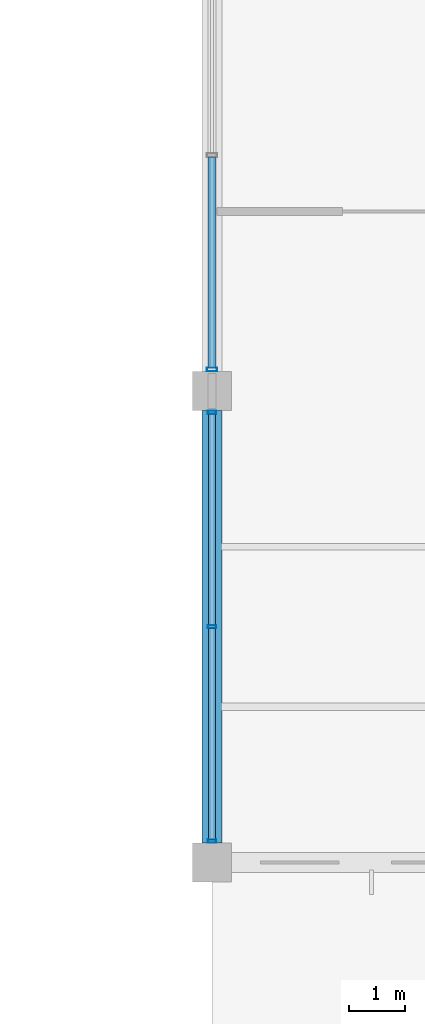
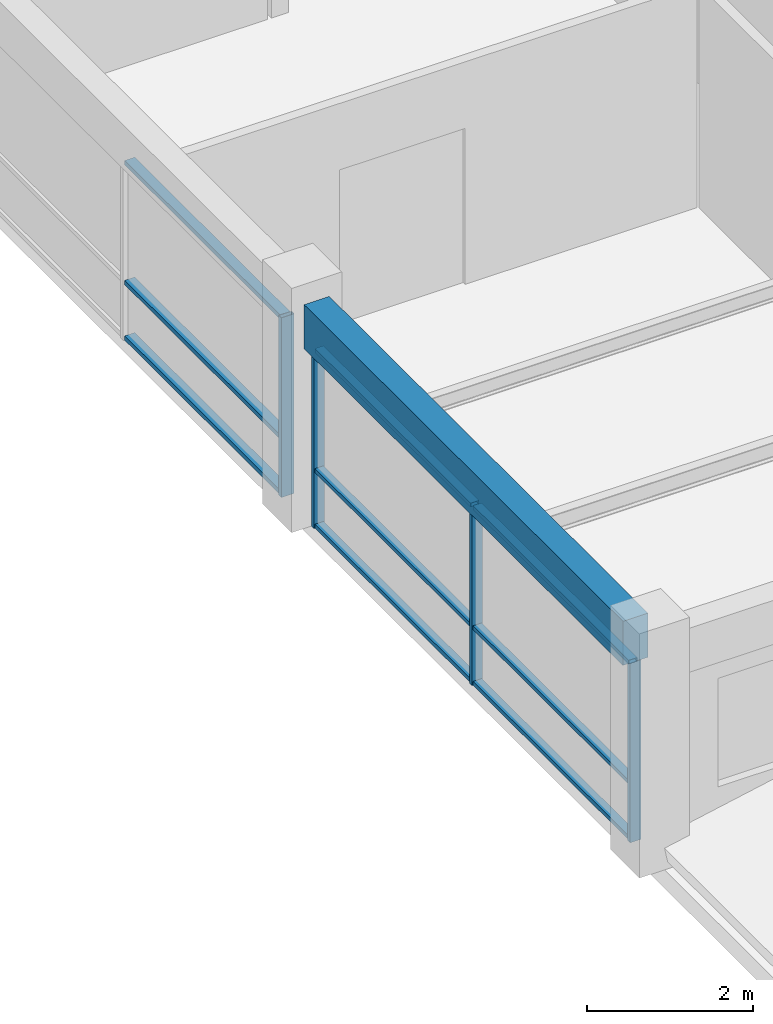
# One storey, part 20 of 49: 13 members, 1 beam, 2 elements without a shape of their own.
"""IFC4 building model written with IfcOpenShell, lengths in metres."""

from ifc_helpers import new_model, si_unit, direction, frame, origin, origin_2d, place, context, subcontext, project, spatial, rectangle, hollow_rectangle, extrude, material, material_profile, profile_set, type_object, element, aggregate, save


model = new_model("IFC4")

# Units and contexts
model_context = context("Model", 3, precision=1e-05, world=origin(), true_north=direction((0.0, 1.0)))
body_context = subcontext(model_context, "Body", "Model", "MODEL_VIEW")
ifc_project = project(units=[si_unit("LENGTHUNIT", "METRE"), si_unit("AREAUNIT", "SQUARE_METRE"), si_unit("VOLUMEUNIT", "CUBIC_METRE"), si_unit("PLANEANGLEUNIT", "RADIAN"), si_unit("MASSUNIT", "GRAM", prefix="KILO"), si_unit("THERMODYNAMICTEMPERATUREUNIT", "KELVIN"), si_unit("POWERUNIT", "WATT")], contexts=[model_context])

# Site, building, storey
site_placement = place(None, origin())
site = spatial("IfcSite", under=ifc_project, at=site_placement, CompositionType="ELEMENT")
building_placement = place(site_placement, origin())
building = spatial("IfcBuilding", under=site, at=building_placement, Name="Srebrne Nadtorze General Hospital", CompositionType="ELEMENT")
storey_placement = place(building_placement, frame((0.0, 0.0, 26.10009765625)))
storey = spatial("IfcBuildingStorey", under=building, at=storey_placement, Name="L06", CompositionType="ELEMENT", Elevation=26.10009765625)

# Curtain wall, members
ifc_material_1 = material(Name="Anodised Aluminium", Category="aluminium")
curtain_wall_type = type_object("IfcCurtainWallType", Name="Unitised curtain wall 7700x2650", PredefinedType="NOTDEFINED", material=ifc_material_1)
curtain_wall_1_placement = place(storey_placement, origin())
curtain_wall_1 = element("IfcCurtainWall", 1, at=curtain_wall_1_placement, inside=storey, type_object=curtain_wall_type, Name="Curtain wall CW-152", PredefinedType="NOTDEFINED")
ifc_material_2 = material(Name="Anodised Aluminium", Category="aluminium")
ifc_material_profile_1 = material_profile(ifc_material_2, hollow_rectangle(XDim=0.06005859375, YDim=0.14990234375, WallThickness=0.00390625, at=origin_2d()), Name="AL-MUL-60x150")
ifc_profile_set_1 = profile_set([ifc_material_profile_1], Name="Anodised Aluminium")
member_type_1 = type_object("IfcMemberType", Name="Curtain mullion 60x150", PredefinedType="MULLION", material=ifc_profile_set_1)
member_1_placement = place(storey_placement, frame((101.39990234375, 33.97998046875, 0.0), z_axis=(0.0, 0.0, 1.0), x_axis=(0.0, 1.0, 0.0)))
member_1 = element("IfcMember", 2, at=member_1_placement, type_object=member_type_1, Name="CW-152 mullion 1", PredefinedType="MULLION", context=body_context, shape_type="SweptSolid", body=[
    extrude(hollow_rectangle(XDim=0.06005859375, YDim=0.14990234375, WallThickness=0.00390625, at=origin_2d()), origin(), (0.0, 0.0, 1.0), 2.64990234375),
])
member_2_placement = place(storey_placement, frame((101.39990234375, 37.800048828125, 0.0), z_axis=(0.0, 0.0, 1.0), x_axis=(0.0, 1.0, 0.0)))
member_2 = element("IfcMember", 3, at=member_2_placement, type_object=member_type_1, Name="CW-152 mullion 2", PredefinedType="MULLION", context=body_context, shape_type="SweptSolid", body=[
    extrude(hollow_rectangle(XDim=0.06005859375, YDim=0.14990234375, WallThickness=0.00390625, at=origin_2d()), origin(), (0.0, 0.0, 1.0), 2.64990234375),
])
member_3_placement = place(storey_placement, frame((101.39990234375, 41.6201171875, 0.0), z_axis=(0.0, 0.0, 1.0), x_axis=(0.0, 1.0, 0.0)))
member_3 = element("IfcMember", 4, at=member_3_placement, type_object=member_type_1, Name="CW-152 mullion 3", PredefinedType="MULLION", context=body_context, shape_type="SweptSolid", body=[
    extrude(hollow_rectangle(XDim=0.06005859375, YDim=0.14990234375, WallThickness=0.00390625, at=origin_2d()), origin(), (0.0, 0.0, 1.0), 2.64990234375),
])

# Curtain wall, member
curtain_wall_2_placement = place(storey_placement, origin())
curtain_wall_2 = element("IfcCurtainWall", 5, at=curtain_wall_2_placement, inside=storey, type_object=curtain_wall_type, Name="Curtain wall CW-153", PredefinedType="NOTDEFINED")
ifc_material_3 = material(Name="Anodised Aluminium", Category="aluminium")
ifc_material_profile_2 = material_profile(ifc_material_3, hollow_rectangle(XDim=0.06494140625, YDim=0.179931640625, WallThickness=0.00390625, at=origin_2d()), Name="AL-MUL-65x180")
ifc_profile_set_2 = profile_set([ifc_material_profile_2], Name="Anodised Aluminium")
member_type_2 = type_object("IfcMemberType", Name="Curtain mullion 65x180", PredefinedType="MULLION", material=ifc_profile_set_2)
member_4_placement = place(storey_placement, frame((101.39990234375, 42.382568359375, 0.0), z_axis=(0.0, 0.0, 1.0), x_axis=(0.0, 1.0, 0.0)))
member_4 = element("IfcMember", 6, at=member_4_placement, type_object=member_type_2, Name="CW-153 mullion 1", PredefinedType="MULLION", context=body_context, shape_type="SweptSolid", body=[
    extrude(hollow_rectangle(XDim=0.06494140625, YDim=0.179931640625, WallThickness=0.00390625, at=origin_2d()), origin(), (0.0, 0.0, 1.0), 2.64990234375),
])

# Member
ifc_material_4 = material(Name="Anodised Aluminium", Category="aluminium")
ifc_material_profile_3 = material_profile(ifc_material_4, hollow_rectangle(XDim=0.06005859375, YDim=0.1201171875, WallThickness=0.00390625, at=origin_2d()), Name="AL-TRN-60x120")
ifc_profile_set_3 = profile_set([ifc_material_profile_3], Name="Anodised Aluminium")
member_type_3 = type_object("IfcMemberType", Name="Curtain transom 60x120", PredefinedType="USERDEFINED", material=ifc_profile_set_3)
member_5_placement = place(storey_placement, frame((101.39990234375, 34.010009765625, 0.02978515625), z_axis=(0.0, 1.0, 0.0), x_axis=(0.0, 0.0, 1.0)))
member_5 = element("IfcMember", 7, at=member_5_placement, type_object=member_type_3, Name="CW-152 transom 1.1", ObjectType="TRANSOM", PredefinedType="USERDEFINED", context=body_context, shape_type="SweptSolid", body=[
    extrude(hollow_rectangle(XDim=0.06005859375, YDim=0.1201171875, WallThickness=0.00390625, at=origin_2d()), origin(), (0.0, 0.0, 1.0), 3.760009765625),
])

member_6_placement = place(storey_placement, frame((101.39990234375, 34.010009765625, 0.849853515625), z_axis=(0.0, 1.0, 0.0), x_axis=(0.0, 0.0, 1.0)))
member_6 = element("IfcMember", 8, at=member_6_placement, type_object=member_type_3, Name="CW-152 transom 1.2", ObjectType="TRANSOM", PredefinedType="USERDEFINED", context=body_context, shape_type="SweptSolid", body=[
    extrude(hollow_rectangle(XDim=0.06005859375, YDim=0.1201171875, WallThickness=0.00390625, at=origin_2d()), origin(), (0.0, 0.0, 1.0), 3.760009765625),
])

member_7_placement = place(storey_placement, frame((101.39990234375, 34.010009765625, 2.619873046875), z_axis=(0.0, 1.0, 0.0), x_axis=(0.0, 0.0, 1.0)))
member_7 = element("IfcMember", 9, at=member_7_placement, type_object=member_type_3, Name="CW-152 transom 1.3", ObjectType="TRANSOM", PredefinedType="USERDEFINED", context=body_context, shape_type="SweptSolid", body=[
    extrude(hollow_rectangle(XDim=0.06005859375, YDim=0.1201171875, WallThickness=0.00390625, at=origin_2d()), origin(), (0.0, 0.0, 1.0), 3.760009765625),
])

member_8_placement = place(storey_placement, frame((101.39990234375, 37.830078125, 0.02978515625), z_axis=(0.0, 1.0, 0.0), x_axis=(0.0, 0.0, 1.0)))
member_8 = element("IfcMember", 10, at=member_8_placement, type_object=member_type_3, Name="CW-152 transom 2.1", ObjectType="TRANSOM", PredefinedType="USERDEFINED", context=body_context, shape_type="SweptSolid", body=[
    extrude(hollow_rectangle(XDim=0.06005859375, YDim=0.1201171875, WallThickness=0.00390625, at=origin_2d()), origin(), (0.0, 0.0, 1.0), 3.760009765625),
])

member_9_placement = place(storey_placement, frame((101.39990234375, 37.830078125, 0.849853515625), z_axis=(0.0, 1.0, 0.0), x_axis=(0.0, 0.0, 1.0)))
member_9 = element("IfcMember", 11, at=member_9_placement, type_object=member_type_3, Name="CW-152 transom 2.2", ObjectType="TRANSOM", PredefinedType="USERDEFINED", context=body_context, shape_type="SweptSolid", body=[
    extrude(hollow_rectangle(XDim=0.06005859375, YDim=0.1201171875, WallThickness=0.00390625, at=origin_2d()), origin(), (0.0, 0.0, 1.0), 3.760009765625),
])

member_10_placement = place(storey_placement, frame((101.39990234375, 37.830078125, 2.619873046875), z_axis=(0.0, 1.0, 0.0), x_axis=(0.0, 0.0, 1.0)))
member_10 = element("IfcMember", 12, at=member_10_placement, type_object=member_type_3, Name="CW-152 transom 2.3", ObjectType="TRANSOM", PredefinedType="USERDEFINED", context=body_context, shape_type="SweptSolid", body=[
    extrude(hollow_rectangle(XDim=0.06005859375, YDim=0.1201171875, WallThickness=0.00390625, at=origin_2d()), origin(), (0.0, 0.0, 1.0), 3.760009765625),
])

aggregate(curtain_wall_1, [member_1, member_2, member_3, member_5, member_6, member_7, member_8, member_9, member_10])

ifc_material_5 = material(Name="Anodised Aluminium", Category="aluminium")
ifc_material_profile_4 = material_profile(ifc_material_5, hollow_rectangle(XDim=0.06494140625, YDim=0.139892578125, WallThickness=0.00390625, at=origin_2d()), Name="AL-TRN-65x140")
ifc_profile_set_4 = profile_set([ifc_material_profile_4], Name="Anodised Aluminium")
member_type_4 = type_object("IfcMemberType", Name="Curtain transom 65x140", PredefinedType="USERDEFINED", material=ifc_profile_set_4)
member_11_placement = place(storey_placement, frame((101.39990234375, 42.4150390625, 0.032470703125), z_axis=(0.0, 1.0, 0.0), x_axis=(0.0, 0.0, 1.0)))
member_11 = element("IfcMember", 13, at=member_11_placement, type_object=member_type_4, Name="CW-153 transom 1.1", ObjectType="TRANSOM", PredefinedType="USERDEFINED", context=body_context, shape_type="SweptSolid", body=[
    extrude(hollow_rectangle(XDim=0.06494140625, YDim=0.139892578125, WallThickness=0.00390625, at=origin_2d()), origin(), (0.0, 0.0, 1.0), 3.75244140625),
])

member_12_placement = place(storey_placement, frame((101.39990234375, 42.4150390625, 0.849853515625), z_axis=(0.0, 1.0, 0.0), x_axis=(0.0, 0.0, 1.0)))
member_12 = element("IfcMember", 14, at=member_12_placement, type_object=member_type_4, Name="CW-153 transom 1.2", ObjectType="TRANSOM", PredefinedType="USERDEFINED", context=body_context, shape_type="SweptSolid", body=[
    extrude(hollow_rectangle(XDim=0.06494140625, YDim=0.139892578125, WallThickness=0.00390625, at=origin_2d()), origin(), (0.0, 0.0, 1.0), 3.75244140625),
])

member_13_placement = place(storey_placement, frame((101.39990234375, 42.4150390625, 2.617431640625), z_axis=(0.0, 1.0, 0.0), x_axis=(0.0, 0.0, 1.0)))
member_13 = element("IfcMember", 15, at=member_13_placement, type_object=member_type_4, Name="CW-153 transom 1.3", ObjectType="TRANSOM", PredefinedType="USERDEFINED", context=body_context, shape_type="SweptSolid", body=[
    extrude(hollow_rectangle(XDim=0.06494140625, YDim=0.139892578125, WallThickness=0.00390625, at=origin_2d()), origin(), (0.0, 0.0, 1.0), 3.75244140625),
])

aggregate(curtain_wall_2, [member_4, member_11, member_12, member_13])

# Beam
ifc_material_6 = material(Name="Concrete C35/45", Category="concrete")
ifc_material_profile_5 = material_profile(ifc_material_6, rectangle(XDim=0.35009765625, YDim=0.64990234375, at=origin_2d()), Name="RC-BM-350x650")
ifc_profile_set_5 = profile_set([ifc_material_profile_5], Name="Concrete C35/45")
beam_type = type_object("IfcBeamType", Name="Edge beam RC 350x650", PredefinedType="BEAM", material=ifc_profile_set_5)
beam_placement = place(storey_placement, frame((101.39990234375, 33.949951171875, 2.974853515625), z_axis=(0.0, 1.0, 0.0), x_axis=(-1.0, 0.0, 0.0)))
element("IfcBeam", 16, at=beam_placement, inside=storey, type_object=beam_type, Name="Beam BM-L06-Y-1222", PredefinedType="BEAM", context=body_context, shape_type="SweptSolid", body=[
    extrude(rectangle(XDim=0.35009765625, YDim=0.64990234375, at=origin_2d()), origin(), (0.0, 0.0, 1.0), 7.699951171875),
])

save(model, "model.ifc")
